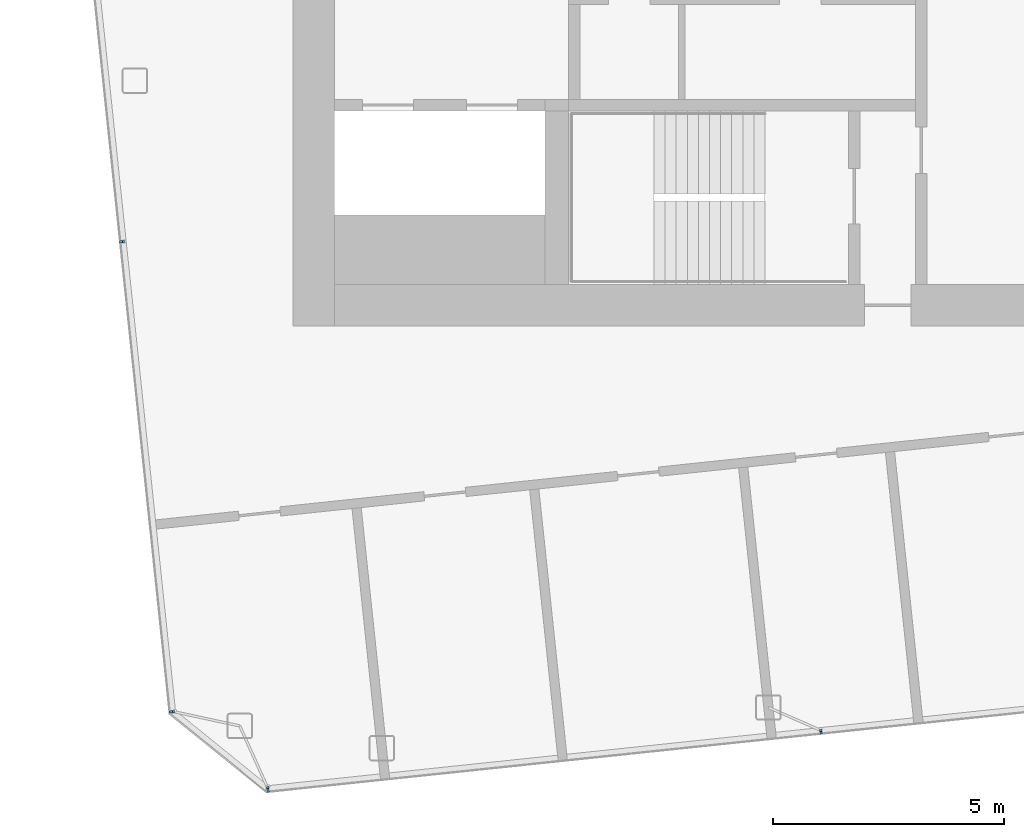
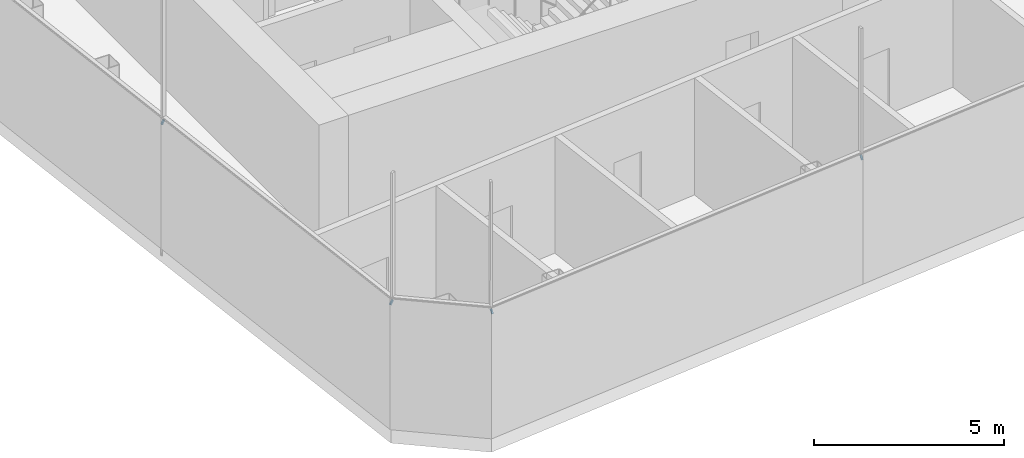
# One storey, part 28 of 41: 4 discrete accessories.
"""IFC4 building model written with IfcOpenShell, lengths in metres."""

from ifc_helpers import new_model, si_unit, direction, frame, origin, origin_2d, place, context, subcontext, project, spatial, rectangle, extrude, material, material_profile, profile_set, type_object, element, save


model = new_model("IFC4")

# Units and contexts
model_context = context("Model", 3, precision=1e-05, world=origin(), true_north=direction((0.0, 1.0)))
body_context = subcontext(model_context, "Body", "Model", "MODEL_VIEW")
ifc_project = project(units=[si_unit("LENGTHUNIT", "METRE"), si_unit("AREAUNIT", "SQUARE_METRE"), si_unit("VOLUMEUNIT", "CUBIC_METRE"), si_unit("PLANEANGLEUNIT", "RADIAN"), si_unit("MASSUNIT", "GRAM", prefix="KILO")], contexts=[model_context])

# Site, building, storey
site_placement = place(None, origin())
site = spatial("IfcSite", under=ifc_project, at=site_placement, CompositionType="ELEMENT")
building_placement = place(site_placement, origin())
building = spatial("IfcBuilding", under=site, at=building_placement, Name="Hakoniwa Tower and Hamabe Station Hall", CompositionType="ELEMENT")
storey_placement = place(building_placement, frame((0.0, 0.0, 276.60009765625)))
storey = spatial("IfcBuildingStorey", under=building, at=storey_placement, Name="L77", CompositionType="ELEMENT", Elevation=276.60009765625)

# Discrete accessories
ifc_material = material(Name="Stainless steel SUS304", Category="steel")
ifc_material_profile = material_profile(ifc_material, rectangle(XDim=0.050048828125, YDim=0.050048828125, at=origin_2d()), Name="CW-4 GLAZING BRACKET 50X50")
ifc_profile_set = profile_set([ifc_material_profile], Name="Stainless steel SUS304")
discrete_accessory_type = type_object("IfcDiscreteAccessoryType", Name="CW-4 GLAZING BRACKET 50X50", PredefinedType="BRACKET", material=ifc_profile_set)
discrete_accessory_1_placement = place(storey_placement, frame((-37.265625, -6.574951171875, 4.099853515625), z_axis=(-0.429755998525, -0.045793671974, -0.901783078872), x_axis=(0.105957528947, -0.994370656274, 0.0)))
element("IfcDiscreteAccessory", 1, at=discrete_accessory_1_placement, inside=storey, type_object=discrete_accessory_type, Name="Glazing bracket", PredefinedType="BRACKET", context=body_context, shape_type="SweptSolid", body=[
    extrude(rectangle(XDim=0.050048828125, YDim=0.050048828125, at=origin_2d()), origin(), (0.0, 0.0, 1.0), 0.138671875),
])
discrete_accessory_2_placement = place(storey_placement, frame((-36.178466796875, -16.731689453125, 4.099853515625), z_axis=(-0.533898009223, -0.056026334301, -0.843690681241), x_axis=(0.104365207969, -0.994539040644, 0.0)))
element("IfcDiscreteAccessory", 2, at=discrete_accessory_2_placement, inside=storey, type_object=discrete_accessory_type, Name="Glazing bracket", PredefinedType="BRACKET", context=body_context, shape_type="SweptSolid", body=[
    extrude(rectangle(XDim=0.050048828125, YDim=0.050048828125, at=origin_2d()), origin(), (0.0, 0.0, 1.0), 0.148193359375),
])
discrete_accessory_3_placement = place(storey_placement, frame((-34.14599609375, -18.376220703125, 4.099853515625), z_axis=(0.05481319218, -0.523216834449, -0.850434981708), x_axis=(0.99455723192, 0.104191710011, 0.0)))
element("IfcDiscreteAccessory", 3, at=discrete_accessory_3_placement, inside=storey, type_object=discrete_accessory_type, Name="Glazing bracket", PredefinedType="BRACKET", context=body_context, shape_type="SweptSolid", body=[
    extrude(rectangle(XDim=0.050048828125, YDim=0.050048828125, at=origin_2d()), origin(), (0.0, 0.0, 1.0), 0.14697265625),
])
discrete_accessory_4_placement = place(storey_placement, frame((-22.195556640625, -17.1376953125, 4.099853515625), z_axis=(0.045793671974, -0.429755998525, -0.901783078872), x_axis=(0.994370656274, 0.105957528947, 0.0)))
element("IfcDiscreteAccessory", 4, at=discrete_accessory_4_placement, inside=storey, type_object=discrete_accessory_type, Name="Glazing bracket", PredefinedType="BRACKET", context=body_context, shape_type="SweptSolid", body=[
    extrude(rectangle(XDim=0.050048828125, YDim=0.050048828125, at=origin_2d()), origin(), (0.0, 0.0, 1.0), 0.138671875),
])

save(model, "model.ifc")
